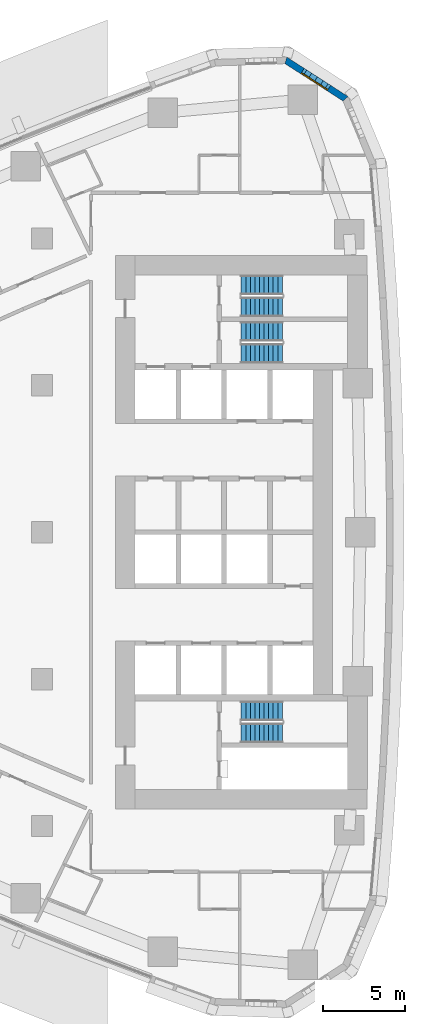
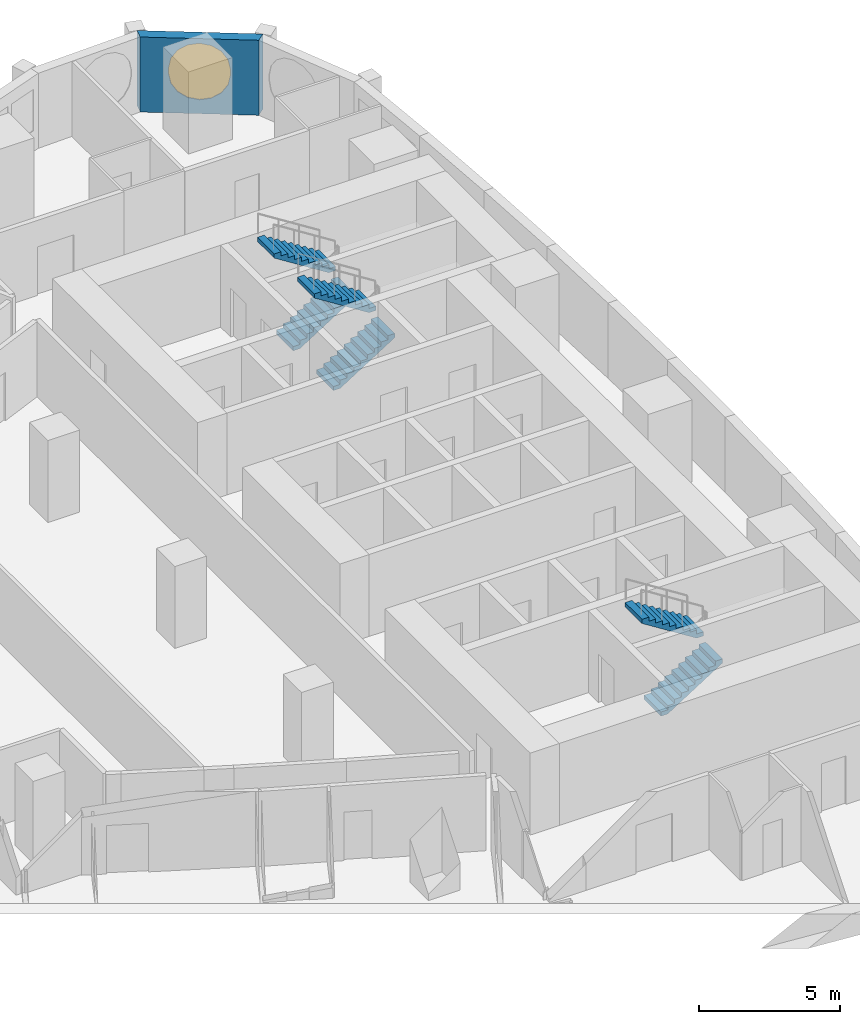
# One storey, part 14 of 19: 6 stair flights, 1 wall, 1 window, 1 opening, 3 elements without a shape of their own.
"""IFC4 building model written with IfcOpenShell, lengths in metres."""

import ifcopenshell
import ifcopenshell.guid

model = None  # the IFC model being written
_history = None  # IfcOwnerHistory: only IFC2X3 demands one
_inside = {}  # id of a spatial element -> (the spatial element, [elements in it])
_under = {}  # id of a project, library or spatial element -> (it, [spatial elements below it])
_declared = {}  # id of a project -> (the project, [libraries it declares])
_typed = {}  # id of a type object -> (the type object, [elements of that type])
_made_of = {}  # id of a material, layer set ... -> (it, [elements and type objects made of it])


def new_model(schema):
    """Start an empty IFC model of exactly this schema.

    Asked for "IFC4X3", IfcOpenShell would pick the latest addendum, in which some entities
    have other attributes; the version numbers below select the first issue.
    IFC2X3 requires an IfcOwnerHistory on every rooted entity: one is made here for all.
    """
    global model, _history
    if schema == "IFC4X3":
        model = ifcopenshell.file(schema_version=(4, 3, 0, 0))
    else:
        model = ifcopenshell.file(schema=schema)
    _inside.clear()
    _under.clear()
    _declared.clear()
    _typed.clear()
    _made_of.clear()
    _history = None
    if model.schema == "IFC2X3":
        org = make("IfcOrganization", Name="unknown")
        user = make(
            "IfcPersonAndOrganization",
            ThePerson=make("IfcPerson", FamilyName="unknown"),
            TheOrganization=org,
        )
        app = make(
            "IfcApplication",
            ApplicationDeveloper=org,
            Version="unknown",
            ApplicationFullName="unknown",
            ApplicationIdentifier="unknown",
        )
        _history = make(
            "IfcOwnerHistory",
            OwningUser=user,
            OwningApplication=app,
            ChangeAction="ADDED",
            CreationDate=0,
        )
    return model


def make(cls, **values):
    """One entity of the class cls with the attributes given. An attribute that is None is left unset."""
    return model.create_entity(
        cls, **{name: value for name, value in values.items() if value is not None}
    )


def rooted(cls, **values):
    """An entity with a GlobalId (a new one), such as an element, a storey or a relation."""
    return make(cls, GlobalId=ifcopenshell.guid.new(), OwnerHistory=_history, **values)


def si_unit(unit_type, name, prefix=None):
    """IfcSIUnit, for example si_unit("LENGTHUNIT", "METRE", prefix="MILLI")."""
    return make("IfcSIUnit", UnitType=unit_type, Prefix=prefix, Name=name)


def assignment(units):
    """IfcUnitAssignment: the units of a project."""
    return None if units is None else make("IfcUnitAssignment", Units=units)


def point(xyz):
    """IfcCartesianPoint."""
    return None if xyz is None else make("IfcCartesianPoint", Coordinates=xyz)


def direction(xyz):
    """IfcDirection."""
    return None if xyz is None else make("IfcDirection", DirectionRatios=xyz)


def frame(location, z_axis=None, x_axis=None):
    """IfcAxis2Placement3D, a coordinate frame: its origin and axes. An axis left out is left unset."""
    return make(
        "IfcAxis2Placement3D",
        Location=point(location),
        Axis=direction(z_axis),
        RefDirection=direction(x_axis),
    )


def origin():
    """The frame at (0, 0, 0) with its axes left unset."""
    return frame((0.0, 0.0, 0.0))


def place(relative_to, where):
    """IfcLocalPlacement: puts the frame where relative to a parent placement (None: the world)."""
    return make(
        "IfcLocalPlacement", PlacementRelTo=relative_to, RelativePlacement=where
    )


def context(
    kind, dimensions, precision=None, world=None, true_north=None, identifier=None
):
    """IfcGeometricRepresentationContext, for example the 3D "Model" context."""
    return make(
        "IfcGeometricRepresentationContext",
        ContextIdentifier=identifier,
        ContextType=kind,
        CoordinateSpaceDimension=dimensions,
        Precision=precision,
        WorldCoordinateSystem=world,
        TrueNorth=true_north,
    )


def subcontext(parent, identifier, kind, view, scale=None):
    """IfcGeometricRepresentationSubContext, for example "Body" below "Model"."""
    return make(
        "IfcGeometricRepresentationSubContext",
        ContextIdentifier=identifier,
        ContextType=kind,
        ParentContext=parent,
        TargetScale=scale,
        TargetView=view,
    )


def project(units=None, contexts=None):
    """IfcProject with its units and contexts."""
    return rooted(
        "IfcProject",
        Name="project",
        RepresentationContexts=contexts,
        UnitsInContext=assignment(units),
    )


def spatial(cls, under=None, at=None, **own):
    """A site, building, storey or space (cls), placed at a placement, below another one or the project."""
    s = rooted(cls, ObjectPlacement=at, **own)
    if under is not None:
        _under.setdefault(under.id(), (under, []))[1].append(s)
    return s


def polyline(points):
    """IfcPolyline through the points."""
    return make("IfcPolyline", Points=[point(p) for p in points])


def outline(outer, holes=None, kind="AREA"):
    """IfcArbitraryClosedProfileDef: a profile drawn as a closed curve; with holes, ...WithVoids."""
    if holes is None:
        return make("IfcArbitraryClosedProfileDef", ProfileType=kind, OuterCurve=outer)
    return make(
        "IfcArbitraryProfileDefWithVoids",
        ProfileType=kind,
        OuterCurve=outer,
        InnerCurves=holes,
    )


def extrude(swept, where, along, depth):
    """IfcExtrudedAreaSolid: the profile swept, set in the frame where, extruded along a direction by depth."""
    return make(
        "IfcExtrudedAreaSolid",
        SweptArea=swept,
        Position=where,
        ExtrudedDirection=direction(along),
        Depth=depth,
    )


def shape(context_of_items, identifier, shape_type, items):
    """IfcShapeRepresentation: the items that make up one representation, for example the "Body"."""
    return make(
        "IfcShapeRepresentation",
        ContextOfItems=context_of_items,
        RepresentationIdentifier=identifier,
        RepresentationType=shape_type,
        Items=items,
    )


def material(Name=None, Category=None):
    """IfcMaterial."""
    return make("IfcMaterial", Name=Name, Category=Category)


def layer(
    of_material, thickness, ventilated=None, Name=None, Category=None, Priority=None
):
    """IfcMaterialLayer: one layer of a wall or slab, of a material (None: an air gap)."""
    return make(
        "IfcMaterialLayer",
        Material=of_material,
        LayerThickness=thickness,
        IsVentilated=ventilated,
        Name=Name,
        Category=Category,
        Priority=Priority,
    )


def layer_set(layers, Name=None):
    """IfcMaterialLayerSet."""
    return make("IfcMaterialLayerSet", MaterialLayers=layers, LayerSetName=Name)


def made_of(thing, what):
    """Note that an element or type object is made of a material, layer set ...; save() writes the relation."""
    if what is not None:
        _made_of.setdefault(what.id(), (what, []))[1].append(thing)
    return thing


def type_object(cls, material=None, **own):
    """A type object (cls), such as IfcWallType, which elements share."""
    return made_of(rooted(cls, **own), material)


def element(
    cls,
    number,
    at=None,
    inside=None,
    cuts=None,
    type_object=None,
    material=None,
    context=None,
    identifier="Body",
    shape_type=None,
    held_by="IfcProductDefinitionShape",
    body=None,
    shapes=None,
    **own,
):
    """One element of the class cls, such as IfcWall. Its Tag is "e" and its number.

    at: its placement. inside: the storey or other place that contains it. cuts: it is an
    opening in that element (IfcRelVoidsElement). A single representation is given by context,
    identifier, shape_type and body (its items); several are given by shapes. held_by: the class
    of the entity that holds the representations. save() writes the other relations.
    """
    e = rooted(cls, Tag="e%d" % number, ObjectPlacement=at, **own)
    if body is not None:
        shapes = [shape(context, identifier, shape_type, body)]
    if shapes is not None:
        e.Representation = make(held_by, Representations=shapes)
    if inside is not None:
        _inside.setdefault(inside.id(), (inside, []))[1].append(e)
    if cuts is not None:
        rooted(
            "IfcRelVoidsElement", RelatingBuildingElement=cuts, RelatedOpeningElement=e
        )
    if type_object is not None:
        _typed.setdefault(type_object.id(), (type_object, []))[1].append(e)
    return made_of(e, material)


def fill(opening, filler):
    """IfcRelFillsElement: the door or window that sits in an opening."""
    return rooted(
        "IfcRelFillsElement",
        RelatingOpeningElement=opening,
        RelatedBuildingElement=filler,
    )


def aggregate(whole, parts):
    """IfcRelAggregates: a whole, such as a stair, and the parts it consists of."""
    return rooted("IfcRelAggregates", RelatingObject=whole, RelatedObjects=parts)


def save(model, path):
    """Write the relations noted so far, then the file.

    IfcRelAggregates (storeys below a building ...), IfcRelContainedInSpatialStructure (elements
    in a storey), IfcRelDefinesByType, IfcRelAssociatesMaterial and IfcRelDeclares: one each for
    every whole, place, type object, material and project.
    """
    for whole, parts in _under.values():
        aggregate(whole, parts)
    for where, things in _inside.values():
        rooted(
            "IfcRelContainedInSpatialStructure",
            RelatedElements=things,
            RelatingStructure=where,
        )
    for kind, things in _typed.values():
        rooted("IfcRelDefinesByType", RelatedObjects=things, RelatingType=kind)
    for what, things in _made_of.values():
        rooted("IfcRelAssociatesMaterial", RelatedObjects=things, RelatingMaterial=what)
    for by, libraries in _declared.values():
        rooted("IfcRelDeclares", RelatingContext=by, RelatedDefinitions=libraries)
    model.write(path)


model = new_model("IFC4")

# Units and contexts
model_context = context("Model", 3, precision=1e-05, world=origin(), true_north=direction((0.0, 1.0)))
body_context = subcontext(model_context, "Body", "Model", "MODEL_VIEW")
ifc_project = project(units=[si_unit("LENGTHUNIT", "METRE"), si_unit("AREAUNIT", "SQUARE_METRE"), si_unit("VOLUMEUNIT", "CUBIC_METRE"), si_unit("PLANEANGLEUNIT", "RADIAN"), si_unit("MASSUNIT", "GRAM", prefix="KILO")], contexts=[model_context])

# Site, building, storey
site_placement = place(None, origin())
site = spatial("IfcSite", under=ifc_project, at=site_placement, CompositionType="ELEMENT")
building_placement = place(site_placement, origin())
building = spatial("IfcBuilding", under=site, at=building_placement, Name="Ostrand Prow Hotel Tower", CompositionType="ELEMENT")
storey_placement = place(building_placement, frame((0.0, 0.0, 50.25)))
storey = spatial("IfcBuildingStorey", under=building, at=storey_placement, Name="L10", CompositionType="ELEMENT", Elevation=50.25)

# Wall, opening, window
ifc_material_1 = material(Name="Precast concrete C40/50", Category="concrete")
ifc_layer = layer(ifc_material_1, 0.39990234375)
ifc_layer_set = layer_set([ifc_layer], Name="Precast concrete C40/50")
wall_type = type_object("IfcWallType", Name="Stone-faced precast wall 400 mm", PredefinedType="NOTDEFINED", material=ifc_layer_set)
wall_placement = place(storey_placement, frame((63.58837890625, 26.55810546875, 0.0), z_axis=(0.0, 0.0, 1.0), x_axis=(-0.840937468718, 0.541132307025, 0.0)))
wall = element("IfcWall", 1, at=wall_placement, inside=storey, type_object=wall_type, Name="Stone-faced wall back 17", PredefinedType="NOTDEFINED", context=body_context, shape_type="SweptSolid", body=[
    extrude(outline(polyline([(-0.0625, -0.199951171875), (4.40869140625, -0.199951171875), (4.28369140625, 0.199951171875), (0.0625, 0.199951171875), (-0.0625, -0.199951171875)])), origin(), (0.0, 0.0, 1.0), 3.25),
])
opening_placement = place(wall_placement, frame((1.072998046875, 0.0, 0.60009765625)))
opening = element("IfcOpeningElement", 2, at=opening_placement, cuts=wall, Name="Opening WP1", PredefinedType="OPENING", context=body_context, shape_type="SweptSolid", body=[
    extrude(outline(polyline([(0.0, 1.35009765625), (0.083740234375, 1.77099609375), (0.322265625, 2.127685546875), (0.678955078125, 2.3662109375), (1.10009765625, 2.449951171875), (1.52099609375, 2.3662109375), (1.877685546875, 2.127685546875), (2.1162109375, 1.77099609375), (2.199951171875, 1.35009765625), (2.199951171875, 1.10009765625), (2.1162109375, 0.678955078125), (1.877685546875, 0.322265625), (1.52099609375, 0.083740234375), (1.10009765625, 0.0), (0.678955078125, 0.083740234375), (0.322265625, 0.322265625), (0.083740234375, 0.678955078125), (0.0, 1.099853515625), (0.0, 1.35009765625)])), frame((0.0, 0.2099609375, 0.0), z_axis=(0.0, -1.0, 0.0), x_axis=(1.0, 0.0, 0.0)), (0.0, 0.0, 1.0), 0.419921875),
])
ifc_material_2 = material(Name="Insulated glass in bronze frame", Category="glass")
window_type = type_object("IfcWindowType", Name="Round-ended prow window 2200x2450", PartitioningType="SINGLE_PANEL", PredefinedType="WINDOW", material=ifc_material_2)
window_placement = place(opening_placement, origin())
window = element("IfcWindow", 3, at=window_placement, inside=storey, type_object=window_type, Name="Window back 17.1", OverallHeight=2.449951171875, OverallWidth=2.199951171875, PartitioningType="SINGLE_PANEL", PredefinedType="WINDOW", context=body_context, shape_type="SweptSolid", body=[
    extrude(outline(polyline([(0.0, 1.35009765625), (0.083740234375, 1.77099609375), (0.322265625, 2.127685546875), (0.678955078125, 2.3662109375), (1.10009765625, 2.449951171875), (1.52099609375, 2.3662109375), (1.877685546875, 2.127685546875), (2.1162109375, 1.77099609375), (2.199951171875, 1.35009765625), (2.199951171875, 1.10009765625), (2.1162109375, 0.678955078125), (1.877685546875, 0.322265625), (1.52099609375, 0.083740234375), (1.10009765625, 0.0), (0.678955078125, 0.083740234375), (0.322265625, 0.322265625), (0.083740234375, 0.678955078125), (0.0, 1.099853515625), (0.0, 1.35009765625)])), frame((0.0, 0.169921875, 0.0), z_axis=(0.0, -1.0, 0.0), x_axis=(1.0, 0.0, 0.0)), (0.0, 0.0, 1.0), 0.06005859375),
])
fill(opening, window)

# Stair, stair flights
ifc_material_3 = material(Name="Concrete C40/50", Category="concrete")
stair_type = type_object("IfcStairType", Name="Exit stair 1200 upper zone", PredefinedType="HALF_TURN_STAIR", material=ifc_material_3)
stair_1_placement = place(storey_placement, origin())
stair_1 = element("IfcStair", 4, at=stair_1_placement, inside=storey, type_object=stair_type, Name="L10 ST1C", PredefinedType="HALF_TURN_STAIR")
ifc_material_4 = material(Name="Concrete C40/50", Category="concrete")
stair_flight_type = type_object("IfcStairFlightType", Name="Stair flight 1200 concrete", PredefinedType="STRAIGHT", material=ifc_material_4)
stair_flight_1_placement = place(storey_placement, frame((57.199951171875, 10.949951171875, 0.0), z_axis=(0.0, 0.0, 1.0), x_axis=(1.0, 0.0, 0.0)))
stair_flight_1 = element("IfcStairFlight", 5, at=stair_flight_1_placement, type_object=stair_flight_type, Name="ST1C flight 1", NumberOfRisers=10, NumberOfTreads=9, PredefinedType="STRAIGHT", RiserHeight=0.1775, TreadLength=0.28, context=body_context, shape_type="SweptSolid", body=[
    extrude(outline(polyline([(0.0, 0.0), (0.0, 0.177490234375), (0.280029296875, 0.177490234375), (0.280029296875, 0.35498046875), (0.56005859375, 0.35498046875), (0.56005859375, 0.532470703125), (0.840087890625, 0.532470703125), (0.840087890625, 0.7099609375), (1.1201171875, 0.7099609375), (1.1201171875, 0.887451171875), (1.39990234375, 0.887451171875), (1.39990234375, 1.06494140625), (1.679931640625, 1.06494140625), (1.679931640625, 1.242431640625), (1.9599609375, 1.242431640625), (1.9599609375, 1.419921875), (2.239990234375, 1.419921875), (2.239990234375, 1.597412109375), (2.52001953125, 1.597412109375), (2.52001953125, 1.77490234375), (2.52001953125, 1.419921875), (0.280029296875, 0.0), (0.0, 0.0)])), frame((0.0, 0.60009765625, 0.0), z_axis=(0.0, -1.0, 0.0), x_axis=(1.0, 0.0, 0.0)), (0.0, 0.0, 1.0), 1.199951171875),
])
stair_flight_2_placement = place(storey_placement, frame((59.719970703125, 12.300048828125, 1.77490234375), z_axis=(0.0, 0.0, 1.0), x_axis=(-1.0, 0.0, 0.0)))
stair_flight_2 = element("IfcStairFlight", 6, at=stair_flight_2_placement, type_object=stair_flight_type, Name="ST1C flight 2", NumberOfRisers=10, NumberOfTreads=9, PredefinedType="STRAIGHT", RiserHeight=0.1775, TreadLength=0.28, context=body_context, shape_type="SweptSolid", body=[
    extrude(outline(polyline([(0.0, 0.0), (0.0, 0.177490234375), (0.280029296875, 0.177490234375), (0.280029296875, 0.35498046875), (0.56005859375, 0.35498046875), (0.56005859375, 0.532470703125), (0.840087890625, 0.532470703125), (0.840087890625, 0.7099609375), (1.1201171875, 0.7099609375), (1.1201171875, 0.887451171875), (1.39990234375, 0.887451171875), (1.39990234375, 1.06494140625), (1.679931640625, 1.06494140625), (1.679931640625, 1.242431640625), (1.9599609375, 1.242431640625), (1.9599609375, 1.419921875), (2.239990234375, 1.419921875), (2.239990234375, 1.597412109375), (2.52001953125, 1.597412109375), (2.52001953125, 1.77490234375), (2.52001953125, 1.419921875), (0.280029296875, 0.0), (0.0, 0.0)])), frame((0.0, 0.60009765625, 0.0), z_axis=(0.0, -1.0, 0.0), x_axis=(1.0, 0.0, 0.0)), (0.0, 0.0, 1.0), 1.199951171875),
])
aggregate(stair_1, [stair_flight_1, stair_flight_2])

stair_2_placement = place(storey_placement, origin())
stair_2 = element("IfcStair", 7, at=stair_2_placement, inside=storey, type_object=stair_type, Name="L10 ST3C", PredefinedType="HALF_TURN_STAIR")
stair_flight_3_placement = place(storey_placement, frame((57.199951171875, 13.800048828125, 0.0), z_axis=(0.0, 0.0, 1.0), x_axis=(1.0, 0.0, 0.0)))
stair_flight_3 = element("IfcStairFlight", 8, at=stair_flight_3_placement, type_object=stair_flight_type, Name="ST3C flight 1", NumberOfRisers=10, NumberOfTreads=9, PredefinedType="STRAIGHT", RiserHeight=0.1775, TreadLength=0.28, context=body_context, shape_type="SweptSolid", body=[
    extrude(outline(polyline([(0.0, 0.0), (0.0, 0.177490234375), (0.280029296875, 0.177490234375), (0.280029296875, 0.35498046875), (0.56005859375, 0.35498046875), (0.56005859375, 0.532470703125), (0.840087890625, 0.532470703125), (0.840087890625, 0.7099609375), (1.1201171875, 0.7099609375), (1.1201171875, 0.887451171875), (1.39990234375, 0.887451171875), (1.39990234375, 1.06494140625), (1.679931640625, 1.06494140625), (1.679931640625, 1.242431640625), (1.9599609375, 1.242431640625), (1.9599609375, 1.419921875), (2.239990234375, 1.419921875), (2.239990234375, 1.597412109375), (2.52001953125, 1.597412109375), (2.52001953125, 1.77490234375), (2.52001953125, 1.419921875), (0.280029296875, 0.0), (0.0, 0.0)])), frame((0.0, 0.60009765625, 0.0), z_axis=(0.0, -1.0, 0.0), x_axis=(1.0, 0.0, 0.0)), (0.0, 0.0, 1.0), 1.199951171875),
])
stair_flight_4_placement = place(storey_placement, frame((59.719970703125, 15.14990234375, 1.77490234375), z_axis=(0.0, 0.0, 1.0), x_axis=(-1.0, 0.0, 0.0)))
stair_flight_4 = element("IfcStairFlight", 9, at=stair_flight_4_placement, type_object=stair_flight_type, Name="ST3C flight 2", NumberOfRisers=10, NumberOfTreads=9, PredefinedType="STRAIGHT", RiserHeight=0.1775, TreadLength=0.28, context=body_context, shape_type="SweptSolid", body=[
    extrude(outline(polyline([(0.0, 0.0), (0.0, 0.177490234375), (0.280029296875, 0.177490234375), (0.280029296875, 0.35498046875), (0.56005859375, 0.35498046875), (0.56005859375, 0.532470703125), (0.840087890625, 0.532470703125), (0.840087890625, 0.7099609375), (1.1201171875, 0.7099609375), (1.1201171875, 0.887451171875), (1.39990234375, 0.887451171875), (1.39990234375, 1.06494140625), (1.679931640625, 1.06494140625), (1.679931640625, 1.242431640625), (1.9599609375, 1.242431640625), (1.9599609375, 1.419921875), (2.239990234375, 1.419921875), (2.239990234375, 1.597412109375), (2.52001953125, 1.597412109375), (2.52001953125, 1.77490234375), (2.52001953125, 1.419921875), (0.280029296875, 0.0), (0.0, 0.0)])), frame((0.0, 0.60009765625, 0.0), z_axis=(0.0, -1.0, 0.0), x_axis=(1.0, 0.0, 0.0)), (0.0, 0.0, 1.0), 1.199951171875),
])
aggregate(stair_2, [stair_flight_3, stair_flight_4])

stair_3_placement = place(storey_placement, origin())
stair_3 = element("IfcStair", 10, at=stair_3_placement, inside=storey, type_object=stair_type, Name="L10 ST2C", PredefinedType="HALF_TURN_STAIR")
stair_flight_5_placement = place(storey_placement, frame((57.199951171875, -12.300048828125, 0.0), z_axis=(0.0, 0.0, 1.0), x_axis=(1.0, 0.0, 0.0)))
stair_flight_5 = element("IfcStairFlight", 11, at=stair_flight_5_placement, type_object=stair_flight_type, Name="ST2C flight 1", NumberOfRisers=10, NumberOfTreads=9, PredefinedType="STRAIGHT", RiserHeight=0.1775, TreadLength=0.28, context=body_context, shape_type="SweptSolid", body=[
    extrude(outline(polyline([(0.0, 0.0), (0.0, 0.177490234375), (0.280029296875, 0.177490234375), (0.280029296875, 0.35498046875), (0.56005859375, 0.35498046875), (0.56005859375, 0.532470703125), (0.840087890625, 0.532470703125), (0.840087890625, 0.7099609375), (1.1201171875, 0.7099609375), (1.1201171875, 0.887451171875), (1.39990234375, 0.887451171875), (1.39990234375, 1.06494140625), (1.679931640625, 1.06494140625), (1.679931640625, 1.242431640625), (1.9599609375, 1.242431640625), (1.9599609375, 1.419921875), (2.239990234375, 1.419921875), (2.239990234375, 1.597412109375), (2.52001953125, 1.597412109375), (2.52001953125, 1.77490234375), (2.52001953125, 1.419921875), (0.280029296875, 0.0), (0.0, 0.0)])), frame((0.0, 0.60009765625, 0.0), z_axis=(0.0, -1.0, 0.0), x_axis=(1.0, 0.0, 0.0)), (0.0, 0.0, 1.0), 1.199951171875),
])
stair_flight_6_placement = place(storey_placement, frame((59.719970703125, -10.949951171875, 1.77490234375), z_axis=(0.0, 0.0, 1.0), x_axis=(-1.0, 0.0, 0.0)))
stair_flight_6 = element("IfcStairFlight", 12, at=stair_flight_6_placement, type_object=stair_flight_type, Name="ST2C flight 2", NumberOfRisers=10, NumberOfTreads=9, PredefinedType="STRAIGHT", RiserHeight=0.1775, TreadLength=0.28, context=body_context, shape_type="SweptSolid", body=[
    extrude(outline(polyline([(0.0, 0.0), (0.0, 0.177490234375), (0.280029296875, 0.177490234375), (0.280029296875, 0.35498046875), (0.56005859375, 0.35498046875), (0.56005859375, 0.532470703125), (0.840087890625, 0.532470703125), (0.840087890625, 0.7099609375), (1.1201171875, 0.7099609375), (1.1201171875, 0.887451171875), (1.39990234375, 0.887451171875), (1.39990234375, 1.06494140625), (1.679931640625, 1.06494140625), (1.679931640625, 1.242431640625), (1.9599609375, 1.242431640625), (1.9599609375, 1.419921875), (2.239990234375, 1.419921875), (2.239990234375, 1.597412109375), (2.52001953125, 1.597412109375), (2.52001953125, 1.77490234375), (2.52001953125, 1.419921875), (0.280029296875, 0.0), (0.0, 0.0)])), frame((0.0, 0.60009765625, 0.0), z_axis=(0.0, -1.0, 0.0), x_axis=(1.0, 0.0, 0.0)), (0.0, 0.0, 1.0), 1.199951171875),
])
aggregate(stair_3, [stair_flight_5, stair_flight_6])

save(model, "model.ifc")
